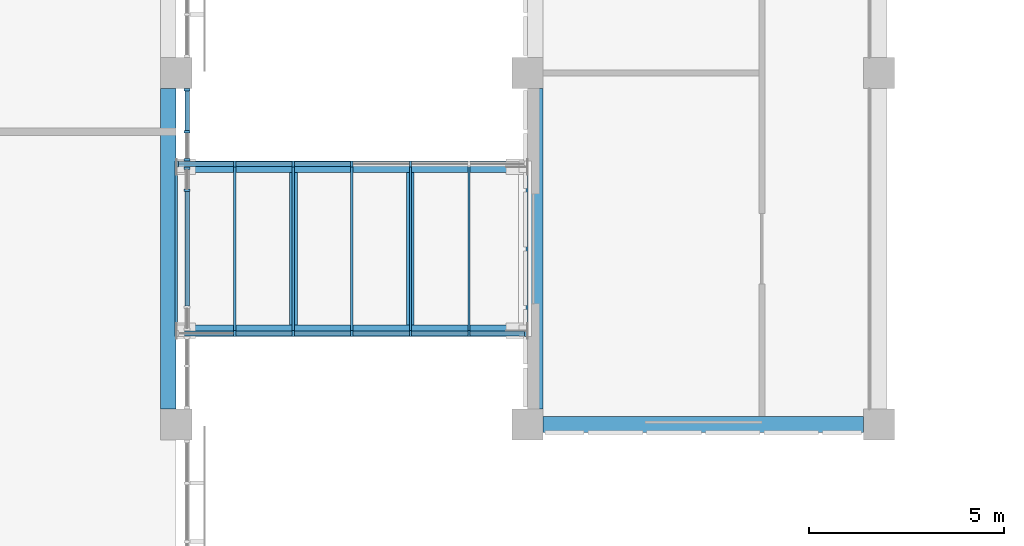
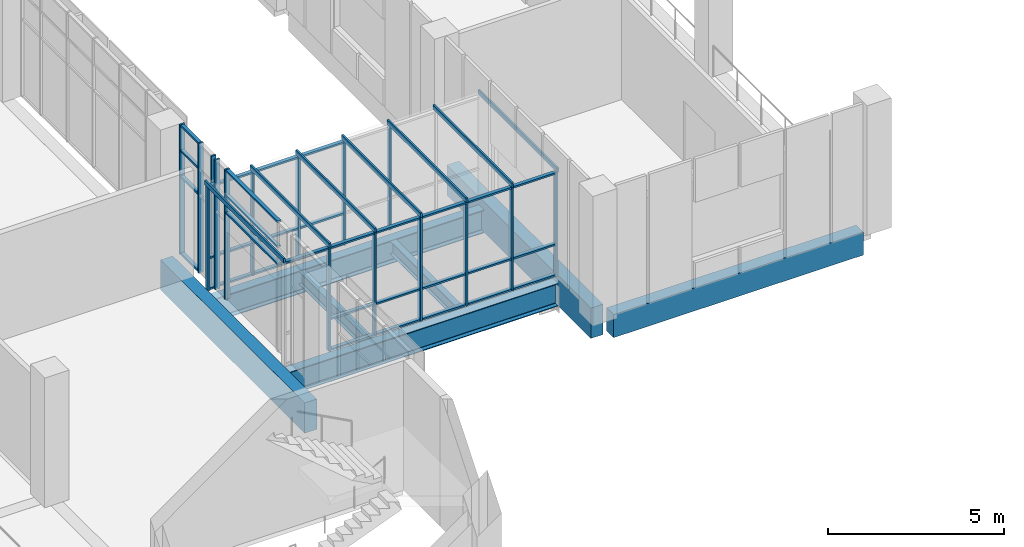
# One storey, part 10 of 88: 55 members, 7 beams, 5 elements without a shape of their own.
"""IFC4 building model written with IfcOpenShell, lengths in metres."""

from ifc_helpers import new_model, si_unit, direction, frame, origin, origin_2d, place, context, subcontext, project, spatial, rectangle, i_section, extrude, material, layer, layer_set, material_profile, profile_set, type_object, element, aggregate, save


model = new_model("IFC4")

# Units and contexts
model_context = context("Model", 3, precision=1e-05, world=origin(), true_north=direction((0.0, 1.0)))
body_context = subcontext(model_context, "Body", "Model", "MODEL_VIEW")
ifc_project = project(units=[si_unit("LENGTHUNIT", "METRE"), si_unit("AREAUNIT", "SQUARE_METRE"), si_unit("VOLUMEUNIT", "CUBIC_METRE"), si_unit("PLANEANGLEUNIT", "RADIAN"), si_unit("MASSUNIT", "GRAM", prefix="KILO")], contexts=[model_context])

# Site, building, storey
site_placement = place(None, origin())
site = spatial("IfcSite", under=ifc_project, at=site_placement, CompositionType="ELEMENT")
building_placement = place(site_placement, origin())
building = spatial("IfcBuilding", under=site, at=building_placement, Name="Guidao Yard Department Store", CompositionType="ELEMENT")
storey_placement = place(building_placement, frame((0.0, 0.0, 6.0)))
storey = spatial("IfcBuildingStorey", under=building, at=storey_placement, Name="L01", CompositionType="ELEMENT", Elevation=6.0)

# Beams
ifc_material_1 = material(Name="Concrete C40", Category="concrete")
ifc_material_profile_1 = material_profile(ifc_material_1, rectangle(XDim=0.39990234375, YDim=1.050048828125, at=origin_2d()), Name="Bridge landing beam 400 x 1050 C40")
ifc_profile_set_1 = profile_set([ifc_material_profile_1], Name="Concrete C40")
beam_type_1 = type_object("IfcBeamType", Name="Bridge landing beam 400 x 1050 C40", PredefinedType="BEAM", material=ifc_profile_set_1)
for number, where, z_axis, x_axis, name in (
    (1, (107.800048828125, 54.39990234375, -0.52490234375), (0.0, 1.0, 0.0), (-1.0, 0.0, 0.0), "Beam LB08"),
    (2, (117.199951171875, 54.39990234375, -0.52490234375), (0.0, 1.0, 0.0), (-1.0, 0.0, 0.0), "Beam LB13"),
):
    element("IfcBeam", number, at=place(storey_placement, frame(where, z_axis=z_axis, x_axis=x_axis)), inside=storey, type_object=beam_type_1, Name=name, PredefinedType="BEAM", context=body_context, shape_type="SweptSolid", body=[
        extrude(rectangle(XDim=0.39990234375, YDim=1.050048828125, at=origin_2d()), origin(), (0.0, 0.0, 1.0), 8.2001953125),
    ])
ifc_material_2 = material(Name="Steel Q355B", Category="steel")
ifc_material_profile_2 = material_profile(ifc_material_2, i_section(OverallWidth=0.199951171875, OverallDepth=0.449951171875, WebThickness=0.009033203125, FlangeThickness=0.013916015625, FilletRadius=0.012939453125, at=origin_2d()), Name="HN 450x200x9x14")
ifc_profile_set_2 = profile_set([ifc_material_profile_2], Name="Steel Q355B")
beam_type_2 = type_object("IfcBeamType", Name="HN 450x200x9x14", PredefinedType="BEAM", material=ifc_profile_set_2)
for number, where, z_axis, x_axis, name in (
    (3, (111.0048828125, 56.550048828125, -0.47509765625), (0.0, 1.0, 0.0), (-1.0, 0.0, 0.0), "Bridge cross beam BR06-1"),
    (4, (113.9951171875, 56.550048828125, -0.47509765625), (0.0, 1.0, 0.0), (-1.0, 0.0, 0.0), "Bridge cross beam BR06-2"),
):
    element("IfcBeam", number, at=place(storey_placement, frame(where, z_axis=z_axis, x_axis=x_axis)), inside=storey, type_object=beam_type_2, Name=name, PredefinedType="BEAM", context=body_context, shape_type="SweptSolid", body=[
        extrude(i_section(OverallWidth=0.199951171875, OverallDepth=0.449951171875, WebThickness=0.009033203125, FlangeThickness=0.013916015625, FilletRadius=0.012939453125, at=origin_2d()), origin(), (0.0, 0.0, 1.0), 3.89990234375),
    ])
ifc_material_3 = material(Name="Steel Q355B", Category="steel")
ifc_material_profile_3 = material_profile(ifc_material_3, i_section(OverallWidth=0.300048828125, OverallDepth=0.800048828125, WebThickness=0.013916015625, FlangeThickness=0.02587890625, FilletRadius=0.01806640625, at=origin_2d()), Name="HN 800x300x14x26")
ifc_profile_set_3 = profile_set([ifc_material_profile_3], Name="Steel Q355B")
beam_type_3 = type_object("IfcBeamType", Name="HN 800x300x14x26", PredefinedType="BEAM", material=ifc_profile_set_3)
for number, where, z_axis, x_axis, name in (
    (5, (108.014892578125, 56.39990234375, -0.64990234375), (1.0, 0.0, 0.0), (0.0, 1.0, 0.0), "Bridge girder BR06S"),
    (6, (108.014892578125, 60.60009765625, -0.64990234375), (1.0, 0.0, 0.0), (0.0, 1.0, 0.0), "Bridge girder BR06N"),
):
    element("IfcBeam", number, at=place(storey_placement, frame(where, z_axis=z_axis, x_axis=x_axis)), inside=storey, type_object=beam_type_3, Name=name, PredefinedType="BEAM", context=body_context, shape_type="SweptSolid", body=[
        extrude(i_section(OverallWidth=0.300048828125, OverallDepth=0.800048828125, WebThickness=0.013916015625, FlangeThickness=0.02587890625, FilletRadius=0.01806640625, at=origin_2d()), origin(), (0.0, 0.0, 1.0), 8.97021484375),
    ])

# Curtain wall, members
ifc_material_4 = material(Name="Aluminium and glass", Category="aluminium")
ifc_layer_1 = layer(ifc_material_4, 0.159912109375)
ifc_layer_set_1 = layer_set([ifc_layer_1], Name="Shopfront curtain wall CW1 1500 module")
curtain_wall_type_1 = type_object("IfcCurtainWallType", Name="Shopfront curtain wall CW1 1500 module", PredefinedType="NOTDEFINED", material=ifc_layer_set_1)
curtain_wall_1_placement = place(storey_placement, origin())
curtain_wall_1 = element("IfcCurtainWall", 7, at=curtain_wall_1_placement, inside=storey, type_object=curtain_wall_type_1, Name="Arcade shop front", PredefinedType="NOTDEFINED")
ifc_material_5 = material(Name="Aluminium 6063-T5", Category="aluminium")
ifc_material_profile_4 = material_profile(ifc_material_5, rectangle(XDim=0.06005859375, YDim=0.159912109375, at=origin_2d()), Name="Mullion M1 60 x 160 aluminium pressure plate")
ifc_profile_set_4 = profile_set([ifc_material_profile_4], Name="Aluminium 6063-T5")
member_type_1 = type_object("IfcMemberType", Name="Mullion M1 60 x 160 aluminium pressure plate", PredefinedType="MULLION", material=ifc_profile_set_4)
member_1_placement = place(storey_placement, frame((108.280029296875, 60.0, 0.0), z_axis=(0.0, 0.0, 1.0), x_axis=(0.0, -1.0, 0.0)))
member_1 = element("IfcMember", 8, at=member_1_placement, type_object=member_type_1, Name="CW-AS-L01-14 mullion 3", PredefinedType="MULLION", context=body_context, shape_type="SweptSolid", body=[
    extrude(rectangle(XDim=0.06005859375, YDim=0.159912109375, at=origin_2d()), origin(), (0.0, 0.0, 1.0), 4.5),
])
member_2_placement = place(storey_placement, frame((108.280029296875, 60.56005859375, 0.0), z_axis=(0.0, 0.0, 1.0), x_axis=(0.0, -1.0, 0.0)))
member_2 = element("IfcMember", 9, at=member_2_placement, type_object=member_type_1, Name="CW-AS-L01-14 mullion 4", PredefinedType="MULLION", context=body_context, shape_type="SweptSolid", body=[
    extrude(rectangle(XDim=0.06005859375, YDim=0.159912109375, at=origin_2d()), origin(), (0.0, 0.0, 1.0), 4.5),
])

curtain_wall_2_placement = place(storey_placement, origin())
curtain_wall_2 = element("IfcCurtainWall", 10, at=curtain_wall_2_placement, inside=storey, type_object=curtain_wall_type_1, Name="Arcade shop front", PredefinedType="NOTDEFINED")
member_3_placement = place(storey_placement, frame((108.280029296875, 60.780029296875, 0.0), z_axis=(0.0, 0.0, 1.0), x_axis=(0.0, -1.0, 0.0)))
member_3 = element("IfcMember", 11, at=member_3_placement, type_object=member_type_1, Name="CW-AS-L01-15 mullion 1", PredefinedType="MULLION", context=body_context, shape_type="SweptSolid", body=[
    extrude(rectangle(XDim=0.06005859375, YDim=0.159912109375, at=origin_2d()), origin(), (0.0, 0.0, 1.0), 4.5),
])
member_4_placement = place(storey_placement, frame((108.280029296875, 61.5, 0.0), z_axis=(0.0, 0.0, 1.0), x_axis=(0.0, -1.0, 0.0)))
member_4 = element("IfcMember", 12, at=member_4_placement, type_object=member_type_1, Name="CW-AS-L01-15 mullion 2", PredefinedType="MULLION", context=body_context, shape_type="SweptSolid", body=[
    extrude(rectangle(XDim=0.06005859375, YDim=0.159912109375, at=origin_2d()), origin(), (0.0, 0.0, 1.0), 4.5),
])
member_5_placement = place(storey_placement, frame((108.280029296875, 62.570068359375, 0.0), z_axis=(0.0, 0.0, 1.0), x_axis=(0.0, -1.0, 0.0)))
member_5 = element("IfcMember", 13, at=member_5_placement, type_object=member_type_1, Name="CW-AS-L01-15 mullion 3", PredefinedType="MULLION", context=body_context, shape_type="SweptSolid", body=[
    extrude(rectangle(XDim=0.06005859375, YDim=0.159912109375, at=origin_2d()), origin(), (0.0, 0.0, 1.0), 4.5),
])

ifc_material_6 = material(Name="Aluminium and glass", Category="aluminium")
ifc_layer_2 = layer(ifc_material_6, 0.159912109375)
ifc_layer_set_2 = layer_set([ifc_layer_2], Name="Bridge glazing CW5 1500 module")
curtain_wall_type_2 = type_object("IfcCurtainWallType", Name="Bridge glazing CW5 1500 module", PredefinedType="NOTDEFINED", material=ifc_layer_set_2)
curtain_wall_3_placement = place(storey_placement, origin())
curtain_wall_3 = element("IfcCurtainWall", 14, at=curtain_wall_3_placement, inside=storey, type_object=curtain_wall_type_2, Name="Bridge glazing BR06 S", PredefinedType="NOTDEFINED")
member_6_placement = place(storey_placement, frame((109.5, 56.330078125, 0.0), z_axis=(0.0, 0.0, 1.0), x_axis=(-1.0, 0.0, 0.0)))
member_6 = element("IfcMember", 15, at=member_6_placement, type_object=member_type_1, Name="CW-S-L01-05 mullion 2", PredefinedType="MULLION", context=body_context, shape_type="SweptSolid", body=[
    extrude(rectangle(XDim=0.06005859375, YDim=0.159912109375, at=origin_2d()), origin(), (0.0, 0.0, 1.0), 3.60009765625),
])
member_7_placement = place(storey_placement, frame((111.0, 56.330078125, 0.0), z_axis=(0.0, 0.0, 1.0), x_axis=(-1.0, 0.0, 0.0)))
member_7 = element("IfcMember", 16, at=member_7_placement, type_object=member_type_1, Name="CW-S-L01-05 mullion 3", PredefinedType="MULLION", context=body_context, shape_type="SweptSolid", body=[
    extrude(rectangle(XDim=0.06005859375, YDim=0.159912109375, at=origin_2d()), origin(), (0.0, 0.0, 1.0), 3.60009765625),
])
member_8_placement = place(storey_placement, frame((112.5, 56.330078125, 0.0), z_axis=(0.0, 0.0, 1.0), x_axis=(-1.0, 0.0, 0.0)))
member_8 = element("IfcMember", 17, at=member_8_placement, type_object=member_type_1, Name="CW-S-L01-05 mullion 4", PredefinedType="MULLION", context=body_context, shape_type="SweptSolid", body=[
    extrude(rectangle(XDim=0.06005859375, YDim=0.159912109375, at=origin_2d()), origin(), (0.0, 0.0, 1.0), 3.60009765625),
])
member_9_placement = place(storey_placement, frame((114.0, 56.330078125, 0.0), z_axis=(0.0, 0.0, 1.0), x_axis=(-1.0, 0.0, 0.0)))
member_9 = element("IfcMember", 18, at=member_9_placement, type_object=member_type_1, Name="CW-S-L01-05 mullion 5", PredefinedType="MULLION", context=body_context, shape_type="SweptSolid", body=[
    extrude(rectangle(XDim=0.06005859375, YDim=0.159912109375, at=origin_2d()), origin(), (0.0, 0.0, 1.0), 3.60009765625),
])
member_10_placement = place(storey_placement, frame((115.5, 56.330078125, 0.0), z_axis=(0.0, 0.0, 1.0), x_axis=(-1.0, 0.0, 0.0)))
member_10 = element("IfcMember", 19, at=member_10_placement, type_object=member_type_1, Name="CW-S-L01-05 mullion 6", PredefinedType="MULLION", context=body_context, shape_type="SweptSolid", body=[
    extrude(rectangle(XDim=0.06005859375, YDim=0.159912109375, at=origin_2d()), origin(), (0.0, 0.0, 1.0), 3.60009765625),
])
member_11_placement = place(storey_placement, frame((116.955078125, 56.330078125, 0.0), z_axis=(0.0, 0.0, 1.0), x_axis=(-1.0, 0.0, 0.0)))
member_11 = element("IfcMember", 20, at=member_11_placement, type_object=member_type_1, Name="CW-S-L01-05 mullion 7", PredefinedType="MULLION", context=body_context, shape_type="SweptSolid", body=[
    extrude(rectangle(XDim=0.06005859375, YDim=0.159912109375, at=origin_2d()), origin(), (0.0, 0.0, 1.0), 3.60009765625),
])

curtain_wall_4_placement = place(storey_placement, origin())
curtain_wall_4 = element("IfcCurtainWall", 21, at=curtain_wall_4_placement, inside=storey, type_object=curtain_wall_type_2, Name="Bridge glazing BR06 N", PredefinedType="NOTDEFINED")
member_12_placement = place(storey_placement, frame((108.030029296875, 60.669921875, 0.0), z_axis=(0.0, 0.0, 1.0), x_axis=(1.0, 0.0, 0.0)))
member_12 = element("IfcMember", 22, at=member_12_placement, type_object=member_type_1, Name="CW-N-L01-06 mullion 1", PredefinedType="MULLION", context=body_context, shape_type="SweptSolid", body=[
    extrude(rectangle(XDim=0.06005859375, YDim=0.159912109375, at=origin_2d()), origin(), (0.0, 0.0, 1.0), 3.60009765625),
])
member_13_placement = place(storey_placement, frame((109.5, 60.669921875, 0.0), z_axis=(0.0, 0.0, 1.0), x_axis=(1.0, 0.0, 0.0)))
member_13 = element("IfcMember", 23, at=member_13_placement, type_object=member_type_1, Name="CW-N-L01-06 mullion 2", PredefinedType="MULLION", context=body_context, shape_type="SweptSolid", body=[
    extrude(rectangle(XDim=0.06005859375, YDim=0.159912109375, at=origin_2d()), origin(), (0.0, 0.0, 1.0), 3.60009765625),
])
member_14_placement = place(storey_placement, frame((111.0, 60.669921875, 0.0), z_axis=(0.0, 0.0, 1.0), x_axis=(1.0, 0.0, 0.0)))
member_14 = element("IfcMember", 24, at=member_14_placement, type_object=member_type_1, Name="CW-N-L01-06 mullion 3", PredefinedType="MULLION", context=body_context, shape_type="SweptSolid", body=[
    extrude(rectangle(XDim=0.06005859375, YDim=0.159912109375, at=origin_2d()), origin(), (0.0, 0.0, 1.0), 3.60009765625),
])
member_15_placement = place(storey_placement, frame((112.5, 60.669921875, 0.0), z_axis=(0.0, 0.0, 1.0), x_axis=(1.0, 0.0, 0.0)))
member_15 = element("IfcMember", 25, at=member_15_placement, type_object=member_type_1, Name="CW-N-L01-06 mullion 4", PredefinedType="MULLION", context=body_context, shape_type="SweptSolid", body=[
    extrude(rectangle(XDim=0.06005859375, YDim=0.159912109375, at=origin_2d()), origin(), (0.0, 0.0, 1.0), 3.60009765625),
])
member_16_placement = place(storey_placement, frame((114.0, 60.669921875, 0.0), z_axis=(0.0, 0.0, 1.0), x_axis=(1.0, 0.0, 0.0)))
member_16 = element("IfcMember", 26, at=member_16_placement, type_object=member_type_1, Name="CW-N-L01-06 mullion 5", PredefinedType="MULLION", context=body_context, shape_type="SweptSolid", body=[
    extrude(rectangle(XDim=0.06005859375, YDim=0.159912109375, at=origin_2d()), origin(), (0.0, 0.0, 1.0), 3.60009765625),
])

curtain_wall_5_placement = place(storey_placement, origin())
curtain_wall_5 = element("IfcCurtainWall", 27, at=curtain_wall_5_placement, inside=storey, type_object=curtain_wall_type_2, Name="Bridge roof glazing BR06", PredefinedType="NOTDEFINED")
ifc_material_7 = material(Name="Aluminium 6063-T5", Category="aluminium")
ifc_material_profile_5 = material_profile(ifc_material_7, rectangle(XDim=0.06005859375, YDim=0.159912109375, at=origin_2d()), Name="Roof bar RB1 60 x 160 aluminium")
ifc_profile_set_5 = profile_set([ifc_material_profile_5], Name="Aluminium 6063-T5")
member_type_2 = type_object("IfcMemberType", Name="Roof bar RB1 60 x 160 aluminium", PredefinedType="USERDEFINED", material=ifc_profile_set_5)
member_17_placement = place(storey_placement, frame((108.0, 56.25, 3.679931640625), z_axis=(0.0, 1.0, 0.0), x_axis=(-1.0, 0.0, 0.0)))
member_17 = element("IfcMember", 28, at=member_17_placement, type_object=member_type_2, Name="Bridge roof bar BR06", ObjectType="TRANSOM", PredefinedType="USERDEFINED", context=body_context, shape_type="SweptSolid", body=[
    extrude(rectangle(XDim=0.06005859375, YDim=0.159912109375, at=origin_2d()), origin(), (0.0, 0.0, 1.0), 4.5),
])
member_18_placement = place(storey_placement, frame((109.5, 56.25, 3.679931640625), z_axis=(0.0, 1.0, 0.0), x_axis=(-1.0, 0.0, 0.0)))
member_18 = element("IfcMember", 29, at=member_18_placement, type_object=member_type_2, Name="Bridge roof bar BR06", ObjectType="TRANSOM", PredefinedType="USERDEFINED", context=body_context, shape_type="SweptSolid", body=[
    extrude(rectangle(XDim=0.06005859375, YDim=0.159912109375, at=origin_2d()), origin(), (0.0, 0.0, 1.0), 4.5),
])
member_19_placement = place(storey_placement, frame((111.0, 56.25, 3.679931640625), z_axis=(0.0, 1.0, 0.0), x_axis=(-1.0, 0.0, 0.0)))
member_19 = element("IfcMember", 30, at=member_19_placement, type_object=member_type_2, Name="Bridge roof bar BR06", ObjectType="TRANSOM", PredefinedType="USERDEFINED", context=body_context, shape_type="SweptSolid", body=[
    extrude(rectangle(XDim=0.06005859375, YDim=0.159912109375, at=origin_2d()), origin(), (0.0, 0.0, 1.0), 4.5),
])
member_20_placement = place(storey_placement, frame((112.5, 56.25, 3.679931640625), z_axis=(0.0, 1.0, 0.0), x_axis=(-1.0, 0.0, 0.0)))
member_20 = element("IfcMember", 31, at=member_20_placement, type_object=member_type_2, Name="Bridge roof bar BR06", ObjectType="TRANSOM", PredefinedType="USERDEFINED", context=body_context, shape_type="SweptSolid", body=[
    extrude(rectangle(XDim=0.06005859375, YDim=0.159912109375, at=origin_2d()), origin(), (0.0, 0.0, 1.0), 4.5),
])
member_21_placement = place(storey_placement, frame((114.0, 56.25, 3.679931640625), z_axis=(0.0, 1.0, 0.0), x_axis=(-1.0, 0.0, 0.0)))
member_21 = element("IfcMember", 32, at=member_21_placement, type_object=member_type_2, Name="Bridge roof bar BR06", ObjectType="TRANSOM", PredefinedType="USERDEFINED", context=body_context, shape_type="SweptSolid", body=[
    extrude(rectangle(XDim=0.06005859375, YDim=0.159912109375, at=origin_2d()), origin(), (0.0, 0.0, 1.0), 4.5),
])
member_22_placement = place(storey_placement, frame((115.5, 56.25, 3.679931640625), z_axis=(0.0, 1.0, 0.0), x_axis=(-1.0, 0.0, 0.0)))
member_22 = element("IfcMember", 33, at=member_22_placement, type_object=member_type_2, Name="Bridge roof bar BR06", ObjectType="TRANSOM", PredefinedType="USERDEFINED", context=body_context, shape_type="SweptSolid", body=[
    extrude(rectangle(XDim=0.06005859375, YDim=0.159912109375, at=origin_2d()), origin(), (0.0, 0.0, 1.0), 4.5),
])
member_23_placement = place(storey_placement, frame((116.985107421875, 56.25, 3.679931640625), z_axis=(0.0, 1.0, 0.0), x_axis=(-1.0, 0.0, 0.0)))
member_23 = element("IfcMember", 34, at=member_23_placement, type_object=member_type_2, Name="Bridge roof bar BR06", ObjectType="TRANSOM", PredefinedType="USERDEFINED", context=body_context, shape_type="SweptSolid", body=[
    extrude(rectangle(XDim=0.06005859375, YDim=0.159912109375, at=origin_2d()), origin(), (0.0, 0.0, 1.0), 4.5),
])
aggregate(curtain_wall_5, [member_17, member_18, member_19, member_20, member_21, member_22, member_23])

# Beam
ifc_material_8 = material(Name="Concrete C40", Category="concrete")
ifc_material_profile_6 = material_profile(ifc_material_8, rectangle(XDim=0.39990234375, YDim=0.800048828125, at=origin_2d()), Name="Spandrel beam 400 x 800 C40")
ifc_profile_set_6 = profile_set([ifc_material_profile_6], Name="Concrete C40")
beam_type_4 = type_object("IfcBeamType", Name="Spandrel beam 400 x 800 C40", PredefinedType="SPANDREL", material=ifc_profile_set_6)
beam_placement = place(storey_placement, frame((117.39990234375, 54.0, -0.39990234375), z_axis=(1.0, 0.0, 0.0), x_axis=(0.0, 1.0, 0.0)))
element("IfcBeam", 35, at=beam_placement, inside=storey, type_object=beam_type_4, Name="Beam EB71", PredefinedType="SPANDREL", context=body_context, shape_type="SweptSolid", body=[
    extrude(rectangle(XDim=0.39990234375, YDim=0.800048828125, at=origin_2d()), origin(), (0.0, 0.0, 1.0), 8.2001953125),
])

# Member
ifc_material_9 = material(Name="Aluminium 6063-T5", Category="aluminium")
ifc_material_profile_7 = material_profile(ifc_material_9, rectangle(XDim=0.1201171875, YDim=0.06005859375, at=origin_2d()), Name="Transom T1 60 x 120 aluminium pressure plate")
ifc_profile_set_7 = profile_set([ifc_material_profile_7], Name="Aluminium 6063-T5")
member_type_3 = type_object("IfcMemberType", Name="Transom T1 60 x 120 aluminium pressure plate", PredefinedType="USERDEFINED", material=ifc_profile_set_7)
member_24_placement = place(storey_placement, frame((108.280029296875, 59.969970703125, 3.0), z_axis=(0.0, -1.0, 0.0), x_axis=(1.0, 0.0, 0.0)))
member_24 = element("IfcMember", 36, at=member_24_placement, type_object=member_type_3, Name="CW-AS-L01-14 transom 2.2", ObjectType="TRANSOM", PredefinedType="USERDEFINED", context=body_context, shape_type="SweptSolid", body=[
    extrude(rectangle(XDim=0.1201171875, YDim=0.06005859375, at=origin_2d()), origin(), (0.0, 0.0, 1.0), 2.93994140625),
])

member_25_placement = place(storey_placement, frame((108.280029296875, 59.969970703125, 3.60009765625), z_axis=(0.0, -1.0, 0.0), x_axis=(1.0, 0.0, 0.0)))
member_25 = element("IfcMember", 37, at=member_25_placement, type_object=member_type_3, Name="CW-AS-L01-14 transom 2.3", ObjectType="TRANSOM", PredefinedType="USERDEFINED", context=body_context, shape_type="SweptSolid", body=[
    extrude(rectangle(XDim=0.1201171875, YDim=0.06005859375, at=origin_2d()), origin(), (0.0, 0.0, 1.0), 2.93994140625),
])

member_26_placement = place(storey_placement, frame((108.280029296875, 59.969970703125, 4.469970703125), z_axis=(0.0, -1.0, 0.0), x_axis=(1.0, 0.0, 0.0)))
member_26 = element("IfcMember", 38, at=member_26_placement, type_object=member_type_3, Name="CW-AS-L01-14 transom 2.4", ObjectType="TRANSOM", PredefinedType="USERDEFINED", context=body_context, shape_type="SweptSolid", body=[
    extrude(rectangle(XDim=0.1201171875, YDim=0.06005859375, at=origin_2d()), origin(), (0.0, 0.0, 1.0), 2.93994140625),
])

aggregate(curtain_wall_1, [member_1, member_2, member_24, member_25, member_26])

member_27_placement = place(storey_placement, frame((108.280029296875, 62.5400390625, 0.030029296875), z_axis=(0.0, -1.0, 0.0), x_axis=(1.0, 0.0, 0.0)))
member_27 = element("IfcMember", 39, at=member_27_placement, type_object=member_type_3, Name="CW-AS-L01-15 transom 2.1", ObjectType="TRANSOM", PredefinedType="USERDEFINED", context=body_context, shape_type="SweptSolid", body=[
    extrude(rectangle(XDim=0.1201171875, YDim=0.06005859375, at=origin_2d()), origin(), (0.0, 0.0, 1.0), 1.010009765625),
])

member_28_placement = place(storey_placement, frame((108.280029296875, 62.5400390625, 2.699951171875), z_axis=(0.0, -1.0, 0.0), x_axis=(1.0, 0.0, 0.0)))
member_28 = element("IfcMember", 40, at=member_28_placement, type_object=member_type_3, Name="CW-AS-L01-15 transom 2.2", ObjectType="TRANSOM", PredefinedType="USERDEFINED", context=body_context, shape_type="SweptSolid", body=[
    extrude(rectangle(XDim=0.1201171875, YDim=0.06005859375, at=origin_2d()), origin(), (0.0, 0.0, 1.0), 1.010009765625),
])

member_29_placement = place(storey_placement, frame((108.280029296875, 62.5400390625, 3.60009765625), z_axis=(0.0, -1.0, 0.0), x_axis=(1.0, 0.0, 0.0)))
member_29 = element("IfcMember", 41, at=member_29_placement, type_object=member_type_3, Name="CW-AS-L01-15 transom 2.3", ObjectType="TRANSOM", PredefinedType="USERDEFINED", context=body_context, shape_type="SweptSolid", body=[
    extrude(rectangle(XDim=0.1201171875, YDim=0.06005859375, at=origin_2d()), origin(), (0.0, 0.0, 1.0), 1.010009765625),
])

member_30_placement = place(storey_placement, frame((108.280029296875, 62.5400390625, 4.469970703125), z_axis=(0.0, -1.0, 0.0), x_axis=(1.0, 0.0, 0.0)))
member_30 = element("IfcMember", 42, at=member_30_placement, type_object=member_type_3, Name="CW-AS-L01-15 transom 2.4", ObjectType="TRANSOM", PredefinedType="USERDEFINED", context=body_context, shape_type="SweptSolid", body=[
    extrude(rectangle(XDim=0.1201171875, YDim=0.06005859375, at=origin_2d()), origin(), (0.0, 0.0, 1.0), 1.010009765625),
])

aggregate(curtain_wall_2, [member_3, member_4, member_5, member_27, member_28, member_29, member_30])

member_31_placement = place(storey_placement, frame((109.469970703125, 56.330078125, 3.570068359375), z_axis=(-1.0, 0.0, 0.0), x_axis=(0.0, -1.0, 0.0)))
member_31 = element("IfcMember", 43, at=member_31_placement, type_object=member_type_3, Name="CW-S-L01-05 transom 1.3", ObjectType="TRANSOM", PredefinedType="USERDEFINED", context=body_context, shape_type="SweptSolid", body=[
    extrude(rectangle(XDim=0.1201171875, YDim=0.06005859375, at=origin_2d()), origin(), (0.0, 0.0, 1.0), 1.409912109375),
])

member_32_placement = place(storey_placement, frame((110.969970703125, 56.330078125, 0.030029296875), z_axis=(-1.0, 0.0, 0.0), x_axis=(0.0, -1.0, 0.0)))
member_32 = element("IfcMember", 44, at=member_32_placement, type_object=member_type_3, Name="CW-S-L01-05 transom 2.1", ObjectType="TRANSOM", PredefinedType="USERDEFINED", context=body_context, shape_type="SweptSolid", body=[
    extrude(rectangle(XDim=0.1201171875, YDim=0.06005859375, at=origin_2d()), origin(), (0.0, 0.0, 1.0), 1.43994140625),
])

member_33_placement = place(storey_placement, frame((110.969970703125, 56.330078125, 1.10009765625), z_axis=(-1.0, 0.0, 0.0), x_axis=(0.0, -1.0, 0.0)))
member_33 = element("IfcMember", 45, at=member_33_placement, type_object=member_type_3, Name="CW-S-L01-05 transom 2.2", ObjectType="TRANSOM", PredefinedType="USERDEFINED", context=body_context, shape_type="SweptSolid", body=[
    extrude(rectangle(XDim=0.1201171875, YDim=0.06005859375, at=origin_2d()), origin(), (0.0, 0.0, 1.0), 1.43994140625),
])

member_34_placement = place(storey_placement, frame((110.969970703125, 56.330078125, 3.570068359375), z_axis=(-1.0, 0.0, 0.0), x_axis=(0.0, -1.0, 0.0)))
member_34 = element("IfcMember", 46, at=member_34_placement, type_object=member_type_3, Name="CW-S-L01-05 transom 2.3", ObjectType="TRANSOM", PredefinedType="USERDEFINED", context=body_context, shape_type="SweptSolid", body=[
    extrude(rectangle(XDim=0.1201171875, YDim=0.06005859375, at=origin_2d()), origin(), (0.0, 0.0, 1.0), 1.43994140625),
])

member_35_placement = place(storey_placement, frame((112.469970703125, 56.330078125, 0.030029296875), z_axis=(-1.0, 0.0, 0.0), x_axis=(0.0, -1.0, 0.0)))
member_35 = element("IfcMember", 47, at=member_35_placement, type_object=member_type_3, Name="CW-S-L01-05 transom 3.1", ObjectType="TRANSOM", PredefinedType="USERDEFINED", context=body_context, shape_type="SweptSolid", body=[
    extrude(rectangle(XDim=0.1201171875, YDim=0.06005859375, at=origin_2d()), origin(), (0.0, 0.0, 1.0), 1.43994140625),
])

member_36_placement = place(storey_placement, frame((112.469970703125, 56.330078125, 1.10009765625), z_axis=(-1.0, 0.0, 0.0), x_axis=(0.0, -1.0, 0.0)))
member_36 = element("IfcMember", 48, at=member_36_placement, type_object=member_type_3, Name="CW-S-L01-05 transom 3.2", ObjectType="TRANSOM", PredefinedType="USERDEFINED", context=body_context, shape_type="SweptSolid", body=[
    extrude(rectangle(XDim=0.1201171875, YDim=0.06005859375, at=origin_2d()), origin(), (0.0, 0.0, 1.0), 1.43994140625),
])

member_37_placement = place(storey_placement, frame((112.469970703125, 56.330078125, 3.570068359375), z_axis=(-1.0, 0.0, 0.0), x_axis=(0.0, -1.0, 0.0)))
member_37 = element("IfcMember", 49, at=member_37_placement, type_object=member_type_3, Name="CW-S-L01-05 transom 3.3", ObjectType="TRANSOM", PredefinedType="USERDEFINED", context=body_context, shape_type="SweptSolid", body=[
    extrude(rectangle(XDim=0.1201171875, YDim=0.06005859375, at=origin_2d()), origin(), (0.0, 0.0, 1.0), 1.43994140625),
])

member_38_placement = place(storey_placement, frame((113.969970703125, 56.330078125, 0.030029296875), z_axis=(-1.0, 0.0, 0.0), x_axis=(0.0, -1.0, 0.0)))
member_38 = element("IfcMember", 50, at=member_38_placement, type_object=member_type_3, Name="CW-S-L01-05 transom 4.1", ObjectType="TRANSOM", PredefinedType="USERDEFINED", context=body_context, shape_type="SweptSolid", body=[
    extrude(rectangle(XDim=0.1201171875, YDim=0.06005859375, at=origin_2d()), origin(), (0.0, 0.0, 1.0), 1.43994140625),
])

member_39_placement = place(storey_placement, frame((113.969970703125, 56.330078125, 1.10009765625), z_axis=(-1.0, 0.0, 0.0), x_axis=(0.0, -1.0, 0.0)))
member_39 = element("IfcMember", 51, at=member_39_placement, type_object=member_type_3, Name="CW-S-L01-05 transom 4.2", ObjectType="TRANSOM", PredefinedType="USERDEFINED", context=body_context, shape_type="SweptSolid", body=[
    extrude(rectangle(XDim=0.1201171875, YDim=0.06005859375, at=origin_2d()), origin(), (0.0, 0.0, 1.0), 1.43994140625),
])

member_40_placement = place(storey_placement, frame((113.969970703125, 56.330078125, 3.570068359375), z_axis=(-1.0, 0.0, 0.0), x_axis=(0.0, -1.0, 0.0)))
member_40 = element("IfcMember", 52, at=member_40_placement, type_object=member_type_3, Name="CW-S-L01-05 transom 4.3", ObjectType="TRANSOM", PredefinedType="USERDEFINED", context=body_context, shape_type="SweptSolid", body=[
    extrude(rectangle(XDim=0.1201171875, YDim=0.06005859375, at=origin_2d()), origin(), (0.0, 0.0, 1.0), 1.43994140625),
])

member_41_placement = place(storey_placement, frame((115.469970703125, 56.330078125, 0.030029296875), z_axis=(-1.0, 0.0, 0.0), x_axis=(0.0, -1.0, 0.0)))
member_41 = element("IfcMember", 53, at=member_41_placement, type_object=member_type_3, Name="CW-S-L01-05 transom 5.1", ObjectType="TRANSOM", PredefinedType="USERDEFINED", context=body_context, shape_type="SweptSolid", body=[
    extrude(rectangle(XDim=0.1201171875, YDim=0.06005859375, at=origin_2d()), origin(), (0.0, 0.0, 1.0), 1.43994140625),
])

member_42_placement = place(storey_placement, frame((115.469970703125, 56.330078125, 1.10009765625), z_axis=(-1.0, 0.0, 0.0), x_axis=(0.0, -1.0, 0.0)))
member_42 = element("IfcMember", 54, at=member_42_placement, type_object=member_type_3, Name="CW-S-L01-05 transom 5.2", ObjectType="TRANSOM", PredefinedType="USERDEFINED", context=body_context, shape_type="SweptSolid", body=[
    extrude(rectangle(XDim=0.1201171875, YDim=0.06005859375, at=origin_2d()), origin(), (0.0, 0.0, 1.0), 1.43994140625),
])

member_43_placement = place(storey_placement, frame((115.469970703125, 56.330078125, 3.570068359375), z_axis=(-1.0, 0.0, 0.0), x_axis=(0.0, -1.0, 0.0)))
member_43 = element("IfcMember", 55, at=member_43_placement, type_object=member_type_3, Name="CW-S-L01-05 transom 5.3", ObjectType="TRANSOM", PredefinedType="USERDEFINED", context=body_context, shape_type="SweptSolid", body=[
    extrude(rectangle(XDim=0.1201171875, YDim=0.06005859375, at=origin_2d()), origin(), (0.0, 0.0, 1.0), 1.43994140625),
])

member_44_placement = place(storey_placement, frame((116.925048828125, 56.330078125, 0.030029296875), z_axis=(-1.0, 0.0, 0.0), x_axis=(0.0, -1.0, 0.0)))
member_44 = element("IfcMember", 56, at=member_44_placement, type_object=member_type_3, Name="CW-S-L01-05 transom 6.1", ObjectType="TRANSOM", PredefinedType="USERDEFINED", context=body_context, shape_type="SweptSolid", body=[
    extrude(rectangle(XDim=0.1201171875, YDim=0.06005859375, at=origin_2d()), origin(), (0.0, 0.0, 1.0), 1.39501953125),
])

member_45_placement = place(storey_placement, frame((116.925048828125, 56.330078125, 1.10009765625), z_axis=(-1.0, 0.0, 0.0), x_axis=(0.0, -1.0, 0.0)))
member_45 = element("IfcMember", 57, at=member_45_placement, type_object=member_type_3, Name="CW-S-L01-05 transom 6.2", ObjectType="TRANSOM", PredefinedType="USERDEFINED", context=body_context, shape_type="SweptSolid", body=[
    extrude(rectangle(XDim=0.1201171875, YDim=0.06005859375, at=origin_2d()), origin(), (0.0, 0.0, 1.0), 1.39501953125),
])

member_46_placement = place(storey_placement, frame((116.925048828125, 56.330078125, 3.570068359375), z_axis=(-1.0, 0.0, 0.0), x_axis=(0.0, -1.0, 0.0)))
member_46 = element("IfcMember", 58, at=member_46_placement, type_object=member_type_3, Name="CW-S-L01-05 transom 6.3", ObjectType="TRANSOM", PredefinedType="USERDEFINED", context=body_context, shape_type="SweptSolid", body=[
    extrude(rectangle(XDim=0.1201171875, YDim=0.06005859375, at=origin_2d()), origin(), (0.0, 0.0, 1.0), 1.39501953125),
])

aggregate(curtain_wall_3, [member_6, member_7, member_8, member_9, member_10, member_11, member_31, member_32, member_33, member_34, member_35, member_36, member_37, member_38, member_39, member_40, member_41, member_42, member_43, member_44, member_45, member_46])

member_47_placement = place(storey_placement, frame((108.06005859375, 60.669921875, 0.030029296875), z_axis=(1.0, 0.0, 0.0), x_axis=(0.0, 1.0, 0.0)))
member_47 = element("IfcMember", 59, at=member_47_placement, type_object=member_type_3, Name="CW-N-L01-06 transom 1.1", ObjectType="TRANSOM", PredefinedType="USERDEFINED", context=body_context, shape_type="SweptSolid", body=[
    extrude(rectangle(XDim=0.1201171875, YDim=0.06005859375, at=origin_2d()), origin(), (0.0, 0.0, 1.0), 1.409912109375),
])

member_48_placement = place(storey_placement, frame((108.06005859375, 60.669921875, 1.10009765625), z_axis=(1.0, 0.0, 0.0), x_axis=(0.0, 1.0, 0.0)))
member_48 = element("IfcMember", 60, at=member_48_placement, type_object=member_type_3, Name="CW-N-L01-06 transom 1.2", ObjectType="TRANSOM", PredefinedType="USERDEFINED", context=body_context, shape_type="SweptSolid", body=[
    extrude(rectangle(XDim=0.1201171875, YDim=0.06005859375, at=origin_2d()), origin(), (0.0, 0.0, 1.0), 1.409912109375),
])

member_49_placement = place(storey_placement, frame((108.06005859375, 60.669921875, 3.570068359375), z_axis=(1.0, 0.0, 0.0), x_axis=(0.0, 1.0, 0.0)))
member_49 = element("IfcMember", 61, at=member_49_placement, type_object=member_type_3, Name="CW-N-L01-06 transom 1.3", ObjectType="TRANSOM", PredefinedType="USERDEFINED", context=body_context, shape_type="SweptSolid", body=[
    extrude(rectangle(XDim=0.1201171875, YDim=0.06005859375, at=origin_2d()), origin(), (0.0, 0.0, 1.0), 1.409912109375),
])

member_50_placement = place(storey_placement, frame((109.530029296875, 60.669921875, 0.030029296875), z_axis=(1.0, 0.0, 0.0), x_axis=(0.0, 1.0, 0.0)))
member_50 = element("IfcMember", 62, at=member_50_placement, type_object=member_type_3, Name="CW-N-L01-06 transom 2.1", ObjectType="TRANSOM", PredefinedType="USERDEFINED", context=body_context, shape_type="SweptSolid", body=[
    extrude(rectangle(XDim=0.1201171875, YDim=0.06005859375, at=origin_2d()), origin(), (0.0, 0.0, 1.0), 1.43994140625),
])

member_51_placement = place(storey_placement, frame((109.530029296875, 60.669921875, 1.10009765625), z_axis=(1.0, 0.0, 0.0), x_axis=(0.0, 1.0, 0.0)))
member_51 = element("IfcMember", 63, at=member_51_placement, type_object=member_type_3, Name="CW-N-L01-06 transom 2.2", ObjectType="TRANSOM", PredefinedType="USERDEFINED", context=body_context, shape_type="SweptSolid", body=[
    extrude(rectangle(XDim=0.1201171875, YDim=0.06005859375, at=origin_2d()), origin(), (0.0, 0.0, 1.0), 1.43994140625),
])

member_52_placement = place(storey_placement, frame((109.530029296875, 60.669921875, 3.570068359375), z_axis=(1.0, 0.0, 0.0), x_axis=(0.0, 1.0, 0.0)))
member_52 = element("IfcMember", 64, at=member_52_placement, type_object=member_type_3, Name="CW-N-L01-06 transom 2.3", ObjectType="TRANSOM", PredefinedType="USERDEFINED", context=body_context, shape_type="SweptSolid", body=[
    extrude(rectangle(XDim=0.1201171875, YDim=0.06005859375, at=origin_2d()), origin(), (0.0, 0.0, 1.0), 1.43994140625),
])

member_53_placement = place(storey_placement, frame((111.030029296875, 60.669921875, 0.030029296875), z_axis=(1.0, 0.0, 0.0), x_axis=(0.0, 1.0, 0.0)))
member_53 = element("IfcMember", 65, at=member_53_placement, type_object=member_type_3, Name="CW-N-L01-06 transom 3.1", ObjectType="TRANSOM", PredefinedType="USERDEFINED", context=body_context, shape_type="SweptSolid", body=[
    extrude(rectangle(XDim=0.1201171875, YDim=0.06005859375, at=origin_2d()), origin(), (0.0, 0.0, 1.0), 1.43994140625),
])

member_54_placement = place(storey_placement, frame((111.030029296875, 60.669921875, 1.10009765625), z_axis=(1.0, 0.0, 0.0), x_axis=(0.0, 1.0, 0.0)))
member_54 = element("IfcMember", 66, at=member_54_placement, type_object=member_type_3, Name="CW-N-L01-06 transom 3.2", ObjectType="TRANSOM", PredefinedType="USERDEFINED", context=body_context, shape_type="SweptSolid", body=[
    extrude(rectangle(XDim=0.1201171875, YDim=0.06005859375, at=origin_2d()), origin(), (0.0, 0.0, 1.0), 1.43994140625),
])

member_55_placement = place(storey_placement, frame((111.030029296875, 60.669921875, 3.570068359375), z_axis=(1.0, 0.0, 0.0), x_axis=(0.0, 1.0, 0.0)))
member_55 = element("IfcMember", 67, at=member_55_placement, type_object=member_type_3, Name="CW-N-L01-06 transom 3.3", ObjectType="TRANSOM", PredefinedType="USERDEFINED", context=body_context, shape_type="SweptSolid", body=[
    extrude(rectangle(XDim=0.1201171875, YDim=0.06005859375, at=origin_2d()), origin(), (0.0, 0.0, 1.0), 1.43994140625),
])

aggregate(curtain_wall_4, [member_12, member_13, member_14, member_15, member_16, member_47, member_48, member_49, member_50, member_51, member_52, member_53, member_54, member_55])

save(model, "model.ifc")
